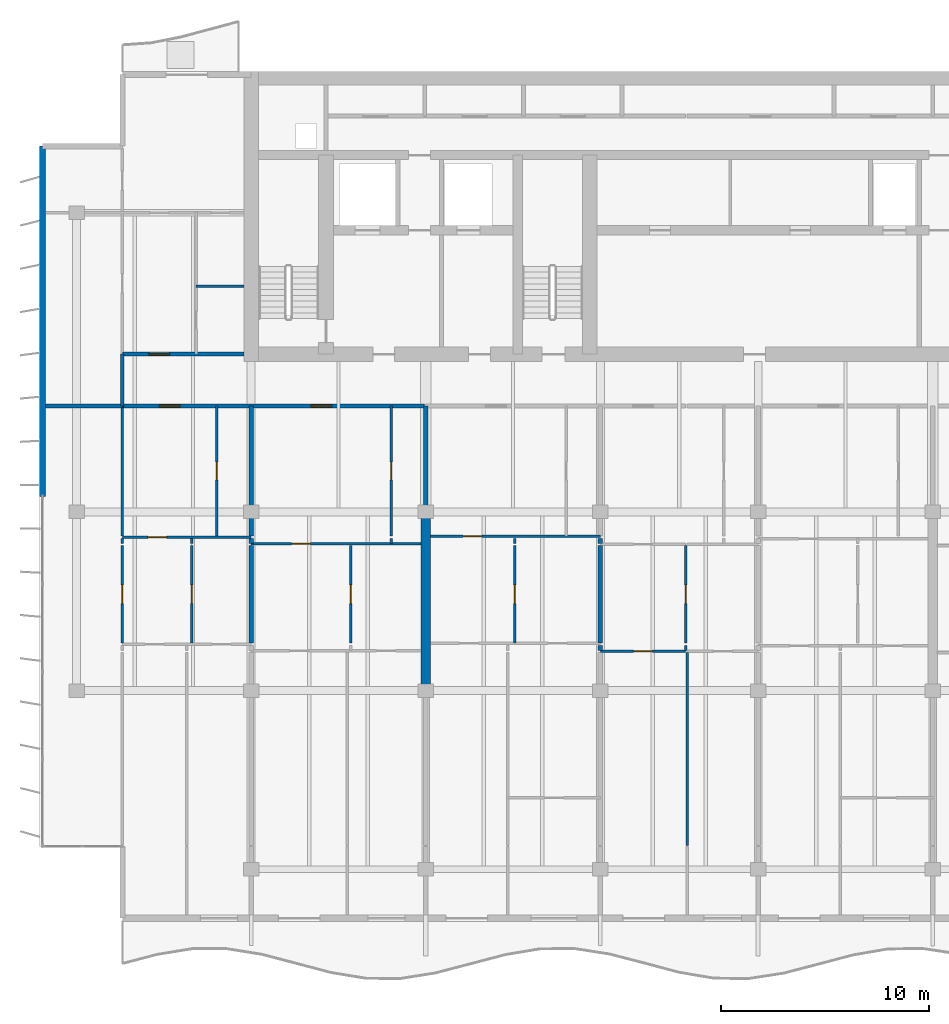
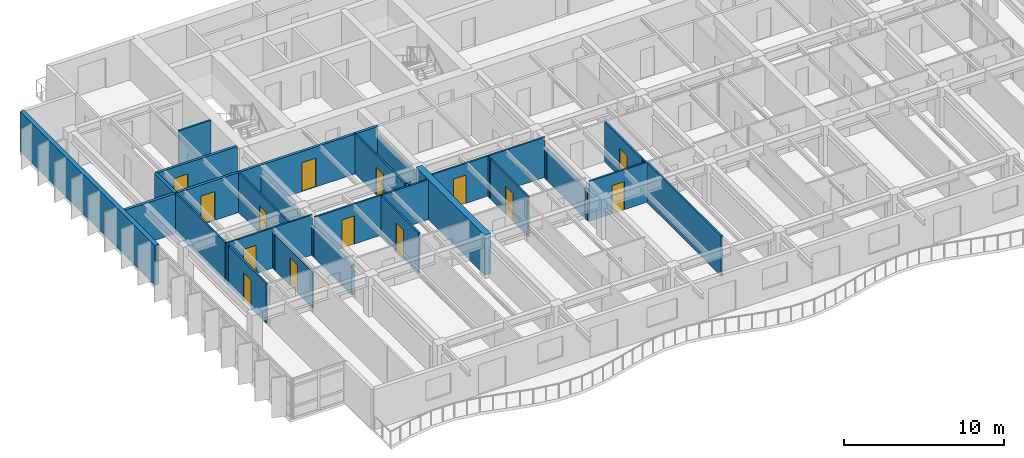
# One storey, part 7 of 17: 32 walls, 14 doors, 14 openings.
"""IFC4 building model written with IfcOpenShell, lengths in metres."""

import ifcopenshell
import ifcopenshell.guid

model = None  # the IFC model being written
_history = None  # IfcOwnerHistory: only IFC2X3 demands one
_inside = {}  # id of a spatial element -> (the spatial element, [elements in it])
_under = {}  # id of a project, library or spatial element -> (it, [spatial elements below it])
_declared = {}  # id of a project -> (the project, [libraries it declares])
_typed = {}  # id of a type object -> (the type object, [elements of that type])
_made_of = {}  # id of a material, layer set ... -> (it, [elements and type objects made of it])


def new_model(schema):
    """Start an empty IFC model of exactly this schema.

    Asked for "IFC4X3", IfcOpenShell would pick the latest addendum, in which some entities
    have other attributes; the version numbers below select the first issue.
    IFC2X3 requires an IfcOwnerHistory on every rooted entity: one is made here for all.
    """
    global model, _history
    if schema == "IFC4X3":
        model = ifcopenshell.file(schema_version=(4, 3, 0, 0))
    else:
        model = ifcopenshell.file(schema=schema)
    _inside.clear()
    _under.clear()
    _declared.clear()
    _typed.clear()
    _made_of.clear()
    _history = None
    if model.schema == "IFC2X3":
        org = make("IfcOrganization", Name="unknown")
        user = make(
            "IfcPersonAndOrganization",
            ThePerson=make("IfcPerson", FamilyName="unknown"),
            TheOrganization=org,
        )
        app = make(
            "IfcApplication",
            ApplicationDeveloper=org,
            Version="unknown",
            ApplicationFullName="unknown",
            ApplicationIdentifier="unknown",
        )
        _history = make(
            "IfcOwnerHistory",
            OwningUser=user,
            OwningApplication=app,
            ChangeAction="ADDED",
            CreationDate=0,
        )
    return model


def make(cls, **values):
    """One entity of the class cls with the attributes given. An attribute that is None is left unset."""
    return model.create_entity(
        cls, **{name: value for name, value in values.items() if value is not None}
    )


def rooted(cls, **values):
    """An entity with a GlobalId (a new one), such as an element, a storey or a relation."""
    return make(cls, GlobalId=ifcopenshell.guid.new(), OwnerHistory=_history, **values)


def si_unit(unit_type, name, prefix=None):
    """IfcSIUnit, for example si_unit("LENGTHUNIT", "METRE", prefix="MILLI")."""
    return make("IfcSIUnit", UnitType=unit_type, Prefix=prefix, Name=name)


def assignment(units):
    """IfcUnitAssignment: the units of a project."""
    return None if units is None else make("IfcUnitAssignment", Units=units)


def point(xyz):
    """IfcCartesianPoint."""
    return None if xyz is None else make("IfcCartesianPoint", Coordinates=xyz)


def direction(xyz):
    """IfcDirection."""
    return None if xyz is None else make("IfcDirection", DirectionRatios=xyz)


def frame(location, z_axis=None, x_axis=None):
    """IfcAxis2Placement3D, a coordinate frame: its origin and axes. An axis left out is left unset."""
    return make(
        "IfcAxis2Placement3D",
        Location=point(location),
        Axis=direction(z_axis),
        RefDirection=direction(x_axis),
    )


def frame_2d(location, x_axis=None):
    """IfcAxis2Placement2D, a coordinate frame in the plane: its origin and x axis."""
    return make(
        "IfcAxis2Placement2D", Location=point(location), RefDirection=direction(x_axis)
    )


def origin():
    """The frame at (0, 0, 0) with its axes left unset."""
    return frame((0.0, 0.0, 0.0))


def place(relative_to, where):
    """IfcLocalPlacement: puts the frame where relative to a parent placement (None: the world)."""
    return make(
        "IfcLocalPlacement", PlacementRelTo=relative_to, RelativePlacement=where
    )


def context(
    kind, dimensions, precision=None, world=None, true_north=None, identifier=None
):
    """IfcGeometricRepresentationContext, for example the 3D "Model" context."""
    return make(
        "IfcGeometricRepresentationContext",
        ContextIdentifier=identifier,
        ContextType=kind,
        CoordinateSpaceDimension=dimensions,
        Precision=precision,
        WorldCoordinateSystem=world,
        TrueNorth=true_north,
    )


def subcontext(parent, identifier, kind, view, scale=None):
    """IfcGeometricRepresentationSubContext, for example "Body" below "Model"."""
    return make(
        "IfcGeometricRepresentationSubContext",
        ContextIdentifier=identifier,
        ContextType=kind,
        ParentContext=parent,
        TargetScale=scale,
        TargetView=view,
    )


def project(units=None, contexts=None):
    """IfcProject with its units and contexts."""
    return rooted(
        "IfcProject",
        Name="project",
        RepresentationContexts=contexts,
        UnitsInContext=assignment(units),
    )


def spatial(cls, under=None, at=None, **own):
    """A site, building, storey or space (cls), placed at a placement, below another one or the project."""
    s = rooted(cls, ObjectPlacement=at, **own)
    if under is not None:
        _under.setdefault(under.id(), (under, []))[1].append(s)
    return s


def profile(cls, at=None, kind="AREA", **sizes):
    """A parametric profile (cls). Its sizes go by their IFC names, for example OverallWidth=200.0."""
    return make(cls, ProfileType=kind, Position=at, **sizes)


def rectangle(**sizes):
    """IfcRectangleProfileDef."""
    return profile("IfcRectangleProfileDef", **sizes)


def extrude(swept, where, along, depth):
    """IfcExtrudedAreaSolid: the profile swept, set in the frame where, extruded along a direction by depth."""
    return make(
        "IfcExtrudedAreaSolid",
        SweptArea=swept,
        Position=where,
        ExtrudedDirection=direction(along),
        Depth=depth,
    )


def shape(context_of_items, identifier, shape_type, items):
    """IfcShapeRepresentation: the items that make up one representation, for example the "Body"."""
    return make(
        "IfcShapeRepresentation",
        ContextOfItems=context_of_items,
        RepresentationIdentifier=identifier,
        RepresentationType=shape_type,
        Items=items,
    )


def material(Name=None, Category=None):
    """IfcMaterial."""
    return make("IfcMaterial", Name=Name, Category=Category)


def layer(
    of_material, thickness, ventilated=None, Name=None, Category=None, Priority=None
):
    """IfcMaterialLayer: one layer of a wall or slab, of a material (None: an air gap)."""
    return make(
        "IfcMaterialLayer",
        Material=of_material,
        LayerThickness=thickness,
        IsVentilated=ventilated,
        Name=Name,
        Category=Category,
        Priority=Priority,
    )


def layer_set(layers, Name=None):
    """IfcMaterialLayerSet."""
    return make("IfcMaterialLayerSet", MaterialLayers=layers, LayerSetName=Name)


def made_of(thing, what):
    """Note that an element or type object is made of a material, layer set ...; save() writes the relation."""
    if what is not None:
        _made_of.setdefault(what.id(), (what, []))[1].append(thing)
    return thing


def type_object(cls, material=None, **own):
    """A type object (cls), such as IfcWallType, which elements share."""
    return made_of(rooted(cls, **own), material)


def element(
    cls,
    number,
    at=None,
    inside=None,
    cuts=None,
    type_object=None,
    material=None,
    context=None,
    identifier="Body",
    shape_type=None,
    held_by="IfcProductDefinitionShape",
    body=None,
    shapes=None,
    **own,
):
    """One element of the class cls, such as IfcWall. Its Tag is "e" and its number.

    at: its placement. inside: the storey or other place that contains it. cuts: it is an
    opening in that element (IfcRelVoidsElement). A single representation is given by context,
    identifier, shape_type and body (its items); several are given by shapes. held_by: the class
    of the entity that holds the representations. save() writes the other relations.
    """
    e = rooted(cls, Tag="e%d" % number, ObjectPlacement=at, **own)
    if body is not None:
        shapes = [shape(context, identifier, shape_type, body)]
    if shapes is not None:
        e.Representation = make(held_by, Representations=shapes)
    if inside is not None:
        _inside.setdefault(inside.id(), (inside, []))[1].append(e)
    if cuts is not None:
        rooted(
            "IfcRelVoidsElement", RelatingBuildingElement=cuts, RelatedOpeningElement=e
        )
    if type_object is not None:
        _typed.setdefault(type_object.id(), (type_object, []))[1].append(e)
    return made_of(e, material)


def fill(opening, filler):
    """IfcRelFillsElement: the door or window that sits in an opening."""
    return rooted(
        "IfcRelFillsElement",
        RelatingOpeningElement=opening,
        RelatedBuildingElement=filler,
    )


def aggregate(whole, parts):
    """IfcRelAggregates: a whole, such as a stair, and the parts it consists of."""
    return rooted("IfcRelAggregates", RelatingObject=whole, RelatedObjects=parts)


def save(model, path):
    """Write the relations noted so far, then the file.

    IfcRelAggregates (storeys below a building ...), IfcRelContainedInSpatialStructure (elements
    in a storey), IfcRelDefinesByType, IfcRelAssociatesMaterial and IfcRelDeclares: one each for
    every whole, place, type object, material and project.
    """
    for whole, parts in _under.values():
        aggregate(whole, parts)
    for where, things in _inside.values():
        rooted(
            "IfcRelContainedInSpatialStructure",
            RelatedElements=things,
            RelatingStructure=where,
        )
    for kind, things in _typed.values():
        rooted("IfcRelDefinesByType", RelatedObjects=things, RelatingType=kind)
    for what, things in _made_of.values():
        rooted("IfcRelAssociatesMaterial", RelatedObjects=things, RelatingMaterial=what)
    for by, libraries in _declared.values():
        rooted("IfcRelDeclares", RelatingContext=by, RelatedDefinitions=libraries)
    model.write(path)


model = new_model("IFC4")

# Units and contexts
model_context = context("Model", 3, precision=1e-05, world=origin(), true_north=direction((0.0, 1.0)))
body_context = subcontext(model_context, "Body", "Model", "MODEL_VIEW")
ifc_project = project(units=[si_unit("LENGTHUNIT", "METRE"), si_unit("AREAUNIT", "SQUARE_METRE"), si_unit("VOLUMEUNIT", "CUBIC_METRE"), si_unit("PLANEANGLEUNIT", "RADIAN"), si_unit("MASSUNIT", "GRAM", prefix="KILO")], contexts=[model_context])

# Site, building, storey
site_placement = place(None, origin())
site = spatial("IfcSite", under=ifc_project, at=site_placement, CompositionType="ELEMENT")
building_placement = place(site_placement, origin())
building = spatial("IfcBuilding", under=site, at=building_placement, Name="Caelmar Bay Residences", CompositionType="ELEMENT")
storey_placement = place(building_placement, frame((0.0, 0.0, 229.800048828125)))
storey = spatial("IfcBuildingStorey", under=building, at=storey_placement, Name="L64", CompositionType="ELEMENT", Elevation=229.800048828125)

# Walls
ifc_material_1 = material(Name="Concrete f'c 55 MPa (8,000 psi)", Category="concrete")
ifc_layer_1 = layer(ifc_material_1, 0.449951171875)
ifc_layer_set_1 = layer_set([ifc_layer_1], Name="Concrete f'c 55 MPa (8,000 psi)")
wall_type_1 = type_object("IfcWallType", Name="SW-XSLB-450", PredefinedType="SHEAR", material=ifc_layer_set_1)
wall_1_placement = place(storey_placement, frame((26.699951171875, 20.800048828125, 0.0), z_axis=(0.0, 0.0, 1.0), x_axis=(0.0, 1.0, 0.0)))
element("IfcWall", 1, at=wall_1_placement, inside=storey, type_object=wall_type_1, Name="L64 Transverse Cross-Slab Shear Wall W5", PredefinedType="SHEAR", context=body_context, shape_type="SweptSolid", body=[
    extrude(rectangle(XDim=8.599853515625, YDim=0.449951171875, at=frame_2d((4.2998046875, 0.0))), origin(), (0.0, 0.0, 1.0), 3.050048828125),
])
ifc_material_2 = material(Name="Double-stud acoustic fire-rated gypsum partition 180 mm")
ifc_layer_2 = layer(ifc_material_2, 0.179931640625)
ifc_layer_set_2 = layer_set([ifc_layer_2], Name="Double-stud acoustic fire-rated gypsum partition 180 mm")
wall_type_2 = type_object("IfcWallType", Name="W-COR-200", PredefinedType="PARTITIONING", material=ifc_layer_set_2)
wall_2_placement = place(storey_placement, frame((12.10009765625, 34.5048828125, 0.0), z_axis=(0.0, 0.0, 1.0), x_axis=(0.0, 1.0, 0.0)))
element("IfcWall", 2, at=wall_2_placement, inside=storey, type_object=wall_type_2, Name="L64 Partition Wall V006", PredefinedType="PARTITIONING", context=body_context, shape_type="SweptSolid", body=[
    extrude(rectangle(XDim=2.4951171875, YDim=0.179931640625, at=frame_2d((1.24755859375, 0.0))), origin(), (0.0, 0.0, 1.0), 3.050048828125),
])

# Wall, openings, doors
wall_3_placement = place(storey_placement, frame((12.10498046875, 34.5, 0.0), z_axis=(0.0, 0.0, 1.0), x_axis=(1.0, 0.0, 0.0)))
wall_3 = element("IfcWall", 3, at=wall_3_placement, inside=storey, type_object=wall_type_2, Name="L64 Partition Wall H121", PredefinedType="PARTITIONING", context=body_context, shape_type="SweptSolid", body=[
    extrude(rectangle(XDim=14.544921875, YDim=0.179931640625, at=frame_2d((7.2724609375, 0.0))), origin(), (0.0, 0.0, 1.0), 3.050048828125),
])
opening_1_placement = place(wall_3_placement, frame((1.7724609375, 0.0, 0.0)))
opening_1 = element("IfcOpeningElement", 4, at=opening_1_placement, cuts=wall_3, Name="Opening D-L64-124", PredefinedType="OPENING", context=body_context, shape_type="SweptSolid", body=[
    extrude(rectangle(XDim=1.0, YDim=2.199951171875, at=frame_2d((0.5, 1.10009765625))), frame((0.0, 0.099853515625, 0.0), z_axis=(0.0, -1.0, 0.0), x_axis=(1.0, 0.0, 0.0)), (0.0, 0.0, 1.0), 0.199951171875),
])
opening_2_placement = place(wall_3_placement, frame((9.070068359375, 0.0, 0.0)))
opening_2 = element("IfcOpeningElement", 5, at=opening_2_placement, cuts=wall_3, Name="Opening D-L64-130", PredefinedType="OPENING", context=body_context, shape_type="SweptSolid", body=[
    extrude(rectangle(XDim=1.0, YDim=2.199951171875, at=frame_2d((0.5, 1.10009765625))), frame((0.0, 0.099853515625, 0.0), z_axis=(0.0, -1.0, 0.0), x_axis=(1.0, 0.0, 0.0)), (0.0, 0.0, 1.0), 0.199951171875),
])
ifc_material_3 = material(Name="Fire-rated steel and walnut architectural door assembly", Category="steel")
ifc_layer_3 = layer(ifc_material_3, 0.050048828125)
ifc_layer_set_3 = layer_set([ifc_layer_3], Name="Fire-rated steel and walnut architectural door assembly")
door_type_1 = type_object("IfcDoorType", Name="D-UNIT-1000", OperationType="NOTDEFINED", PredefinedType="DOOR", material=ifc_layer_set_3)
door_1_placement = place(opening_1_placement, origin())
door_1 = element("IfcDoor", 6, at=door_1_placement, inside=storey, type_object=door_type_1, Name="L64 Residence 01 Apartment Hall Door", OperationType="SINGLE_SWING_LEFT", OverallHeight=2.199951171875, OverallWidth=1.0, PredefinedType="DOOR", context=body_context, shape_type="SweptSolid", body=[
    extrude(rectangle(XDim=1.0, YDim=2.199951171875, at=frame_2d((0.5, 1.10009765625))), frame((0.0, 0.02490234375, 0.0), z_axis=(0.0, -1.0, 0.0), x_axis=(1.0, 0.0, 0.0)), (0.0, 0.0, 1.0), 0.050048828125),
])
fill(opening_1, door_1)
door_2_placement = place(opening_2_placement, origin())
door_2 = element("IfcDoor", 7, at=door_2_placement, inside=storey, type_object=door_type_1, Name="L64 Residence 02 Apartment Hall Door", OperationType="SINGLE_SWING_LEFT", OverallHeight=2.199951171875, OverallWidth=1.0, PredefinedType="DOOR", context=body_context, shape_type="SweptSolid", body=[
    extrude(rectangle(XDim=1.0, YDim=2.199951171875, at=frame_2d((0.5, 1.10009765625))), frame((0.0, 0.02490234375, 0.0), z_axis=(0.0, -1.0, 0.0), x_axis=(1.0, 0.0, 0.0)), (0.0, 0.0, 1.0), 0.050048828125),
])
fill(opening_2, door_2)

# Wall, opening, door
wall_4_placement = place(storey_placement, frame((12.10009765625, 37.0, 0.0), z_axis=(0.0, 0.0, 1.0), x_axis=(1.0, 0.0, 0.0)))
wall_4 = element("IfcWall", 8, at=wall_4_placement, inside=storey, type_object=wall_type_2, Name="L64 Partition Wall H125", PredefinedType="PARTITIONING", context=body_context, shape_type="SweptSolid", body=[
    extrude(rectangle(XDim=5.844970703125, YDim=0.179931640625, at=frame_2d((2.92236328125, 0.0))), origin(), (0.0, 0.0, 1.0), 3.050048828125),
])
opening_3_placement = place(wall_4_placement, frame((1.27490234375, 0.0, 0.0)))
opening_3 = element("IfcOpeningElement", 9, at=opening_3_placement, cuts=wall_4, Name="Opening D-L64-169", PredefinedType="OPENING", context=body_context, shape_type="SweptSolid", body=[
    extrude(rectangle(XDim=1.0, YDim=2.199951171875, at=frame_2d((0.5, 1.10009765625))), frame((0.0, 0.099853515625, 0.0), z_axis=(0.0, -1.0, 0.0), x_axis=(1.0, 0.0, 0.0)), (0.0, 0.0, 1.0), 0.199951171875),
])
door_3_placement = place(opening_3_placement, origin())
door_3 = element("IfcDoor", 10, at=door_3_placement, inside=storey, type_object=door_type_1, Name="L64 Residence WA Kitchen Door", OperationType="SINGLE_SWING_RIGHT", OverallHeight=2.199951171875, OverallWidth=1.0, PredefinedType="DOOR", context=body_context, shape_type="SweptSolid", body=[
    extrude(rectangle(XDim=1.0, YDim=2.199951171875, at=frame_2d((0.5, 1.10009765625))), frame((0.0, 0.02490234375, 0.0), z_axis=(0.0, -1.0, 0.0), x_axis=(1.0, 0.0, 0.0)), (0.0, 0.0, 1.0), 0.050048828125),
])
fill(opening_3, door_3)

# Wall
ifc_material_4 = material(Name="Precast concrete f'c 40 MPa (6,000 psi)", Category="concrete")
ifc_layer_4 = layer(ifc_material_4, 0.300048828125)
ifc_layer_set_4 = layer_set([ifc_layer_4], Name="Precast concrete f'c 40 MPa (6,000 psi)")
wall_type_3 = type_object("IfcWallType", Name="W-EXT-300", PredefinedType="STANDARD", material=ifc_layer_set_4)
wall_5_placement = place(storey_placement, frame((8.25, 30.14990234375, 0.0), z_axis=(0.0, 0.0, 1.0), x_axis=(0.0, 1.0, 0.0)))
element("IfcWall", 11, at=wall_5_placement, inside=storey, type_object=wall_type_3, Name="L64 West Rear Exterior Wall", PredefinedType="STANDARD", context=body_context, shape_type="SweptSolid", body=[
    extrude(rectangle(XDim=16.85009765625, YDim=0.300048828125, at=frame_2d((8.425048828125, 0.0))), origin(), (0.0, 0.0, 1.0), 3.050048828125),
])

# Wall, opening, door
ifc_material_5 = material(Name="Acoustic metal-stud gypsum partition 120 mm")
ifc_layer_5 = layer(ifc_material_5, 0.1201171875)
ifc_layer_set_5 = layer_set([ifc_layer_5], Name="Acoustic metal-stud gypsum partition 120 mm")
wall_type_4 = type_object("IfcWallType", Name="W-PRT-120", PredefinedType="PARTITIONING", material=ifc_layer_set_5)
wall_6_placement = place(storey_placement, frame((12.10009765625, 23.090087890625, 0.0), z_axis=(0.0, 0.0, 1.0), x_axis=(0.0, 1.0, 0.0)))
wall_6 = element("IfcWall", 12, at=wall_6_placement, inside=storey, type_object=wall_type_4, Name="L64 Partition Wall V003", PredefinedType="PARTITIONING", context=body_context, shape_type="SweptSolid", body=[
    extrude(rectangle(XDim=4.68994140625, YDim=0.1201171875, at=frame_2d((2.344970703125, 0.0))), origin(), (0.0, 0.0, 1.0), 3.050048828125),
])
opening_4_placement = place(wall_6_placement, frame((1.89501953125, 0.0, 0.0)))
opening_4 = element("IfcOpeningElement", 13, at=opening_4_placement, cuts=wall_6, Name="Opening D-L64-167", PredefinedType="OPENING", context=body_context, shape_type="SweptSolid", body=[
    extrude(rectangle(XDim=0.89990234375, YDim=2.14990234375, at=frame_2d((0.449951171875, 1.074951171875))), frame((0.0, 0.070068359375, 0.0), z_axis=(0.0, -1.0, 0.0), x_axis=(1.0, 0.0, 0.0)), (0.0, 0.0, 1.0), 0.14013671875),
])
ifc_material_6 = material(Name="Solid walnut timber interior door leaf and frame", Category="wood")
ifc_layer_6 = layer(ifc_material_6, 0.050048828125)
ifc_layer_set_6 = layer_set([ifc_layer_6], Name="Solid walnut timber interior door leaf and frame")
door_type_2 = type_object("IfcDoorType", Name="D-ROOM-900", OperationType="NOTDEFINED", PredefinedType="DOOR", material=ifc_layer_set_6)
door_4_placement = place(opening_4_placement, origin())
door_4 = element("IfcDoor", 14, at=door_4_placement, inside=storey, type_object=door_type_2, Name="L64 Residence 01 Penthouse West Salon Door", OperationType="SINGLE_SWING_RIGHT", OverallHeight=2.14990234375, OverallWidth=0.89990234375, PredefinedType="DOOR", context=body_context, shape_type="SweptSolid", body=[
    extrude(rectangle(XDim=0.89990234375, YDim=2.14990234375, at=frame_2d((0.449951171875, 1.074951171875))), frame((0.0, 0.02490234375, 0.0), z_axis=(0.0, -1.0, 0.0), x_axis=(1.0, 0.0, 0.0)), (0.0, 0.0, 1.0), 0.050048828125),
])
fill(opening_4, door_4)

# Walls
wall_7_placement = place(storey_placement, frame((12.10009765625, 27.8798828125, 0.0), z_axis=(0.0, 0.0, 1.0), x_axis=(0.0, 1.0, 0.0)))
element("IfcWall", 15, at=wall_7_placement, inside=storey, type_object=wall_type_4, Name="L64 Partition Wall V004", PredefinedType="PARTITIONING", context=body_context, shape_type="SweptSolid", body=[
    extrude(rectangle(XDim=0.240234375, YDim=0.1201171875, at=frame_2d((0.1201171875, 0.0))), origin(), (0.0, 0.0, 1.0), 3.050048828125),
])
wall_8_placement = place(storey_placement, frame((12.10009765625, 28.239990234375, 0.0), z_axis=(0.0, 0.0, 1.0), x_axis=(0.0, 1.0, 0.0)))
element("IfcWall", 16, at=wall_8_placement, inside=storey, type_object=wall_type_4, Name="L64 Partition Wall V005", PredefinedType="PARTITIONING", context=body_context, shape_type="SweptSolid", body=[
    extrude(rectangle(XDim=6.260009765625, YDim=0.1201171875, at=frame_2d((3.1298828125, 0.0))), origin(), (0.0, 0.0, 1.0), 3.050048828125),
])

# Wall, opening, door
wall_9_placement = place(storey_placement, frame((15.447998046875, 23.090087890625, 0.0), z_axis=(0.0, 0.0, 1.0), x_axis=(0.0, 1.0, 0.0)))
wall_9 = element("IfcWall", 17, at=wall_9_placement, inside=storey, type_object=wall_type_4, Name="L64 Partition Wall V011", PredefinedType="PARTITIONING", context=body_context, shape_type="SweptSolid", body=[
    extrude(rectangle(XDim=4.68994140625, YDim=0.1201171875, at=frame_2d((2.344970703125, 0.0))), origin(), (0.0, 0.0, 1.0), 2.724853515625),
])
opening_5_placement = place(wall_9_placement, frame((1.89501953125, 0.0, 0.0)))
opening_5 = element("IfcOpeningElement", 18, at=opening_5_placement, cuts=wall_9, Name="Opening D-L64-127", PredefinedType="OPENING", context=body_context, shape_type="SweptSolid", body=[
    extrude(rectangle(XDim=0.89990234375, YDim=2.14990234375, at=frame_2d((0.449951171875, 1.074951171875))), frame((0.0, 0.070068359375, 0.0), z_axis=(0.0, -1.0, 0.0), x_axis=(1.0, 0.0, 0.0)), (0.0, 0.0, 1.0), 0.14013671875),
])
door_5_placement = place(opening_5_placement, origin())
door_5 = element("IfcDoor", 19, at=door_5_placement, inside=storey, type_object=door_type_2, Name="L64 Residence 01 Study Door", OperationType="SINGLE_SWING_RIGHT", OverallHeight=2.14990234375, OverallWidth=0.89990234375, PredefinedType="DOOR", context=body_context, shape_type="SweptSolid", body=[
    extrude(rectangle(XDim=0.89990234375, YDim=2.14990234375, at=frame_2d((0.449951171875, 1.074951171875))), frame((0.0, 0.02490234375, 0.0), z_axis=(0.0, -1.0, 0.0), x_axis=(1.0, 0.0, 0.0)), (0.0, 0.0, 1.0), 0.050048828125),
])
fill(opening_5, door_5)

# Wall
wall_10_placement = place(storey_placement, frame((15.447998046875, 27.8798828125, 0.0), z_axis=(0.0, 0.0, 1.0), x_axis=(0.0, 1.0, 0.0)))
element("IfcWall", 20, at=wall_10_placement, inside=storey, type_object=wall_type_4, Name="L64 Partition Wall V012", PredefinedType="PARTITIONING", context=body_context, shape_type="SweptSolid", body=[
    extrude(rectangle(XDim=0.240234375, YDim=0.1201171875, at=frame_2d((0.1201171875, 0.0))), origin(), (0.0, 0.0, 1.0), 2.724853515625),
])

# Wall, opening, door
wall_11_placement = place(storey_placement, frame((16.64990234375, 28.239990234375, 0.0), z_axis=(0.0, 0.0, 1.0), x_axis=(0.0, 1.0, 0.0)))
wall_11 = element("IfcWall", 21, at=wall_11_placement, inside=storey, type_object=wall_type_4, Name="L64 Partition Wall V014", PredefinedType="PARTITIONING", context=body_context, shape_type="SweptSolid", body=[
    extrude(rectangle(XDim=6.260009765625, YDim=0.1201171875, at=frame_2d((3.1298828125, 0.0))), origin(), (0.0, 0.0, 1.0), 3.050048828125),
])
opening_6_placement = place(wall_11_placement, frame((2.705078125, 0.0, 0.0)))
opening_6 = element("IfcOpeningElement", 22, at=opening_6_placement, cuts=wall_11, Name="Opening D-L64-125", PredefinedType="OPENING", context=body_context, shape_type="SweptSolid", body=[
    extrude(rectangle(XDim=0.85009765625, YDim=2.10009765625, at=frame_2d((0.425048828125, 1.050048828125))), frame((0.0, 0.070068359375, 0.0), z_axis=(0.0, -1.0, 0.0), x_axis=(1.0, 0.0, 0.0)), (0.0, 0.0, 1.0), 0.14013671875),
])
ifc_layer_7 = layer(ifc_material_6, 0.050048828125)
ifc_layer_set_7 = layer_set([ifc_layer_7], Name="Solid walnut timber interior door leaf and frame")
door_type_3 = type_object("IfcDoorType", Name="D-BATH-850", OperationType="NOTDEFINED", PredefinedType="DOOR", material=ifc_layer_set_7)
door_6_placement = place(opening_6_placement, origin())
door_6 = element("IfcDoor", 23, at=door_6_placement, inside=storey, type_object=door_type_3, Name="L64 Residence 01 Bathroom Door", OperationType="SINGLE_SWING_RIGHT", OverallHeight=2.10009765625, OverallWidth=0.85009765625, PredefinedType="DOOR", context=body_context, shape_type="SweptSolid", body=[
    extrude(rectangle(XDim=0.85009765625, YDim=2.10009765625, at=frame_2d((0.425048828125, 1.050048828125))), frame((0.0, 0.02490234375, 0.0), z_axis=(0.0, -1.0, 0.0), x_axis=(1.0, 0.0, 0.0)), (0.0, 0.0, 1.0), 0.050048828125),
])
fill(opening_6, door_6)

wall_12_placement = place(storey_placement, frame((23.0859375, 23.090087890625, 0.0), z_axis=(0.0, 0.0, 1.0), x_axis=(0.0, 1.0, 0.0)))
wall_12 = element("IfcWall", 24, at=wall_12_placement, inside=storey, type_object=wall_type_4, Name="L64 Partition Wall V025", PredefinedType="PARTITIONING", context=body_context, shape_type="SweptSolid", body=[
    extrude(rectangle(XDim=4.68994140625, YDim=0.1201171875, at=frame_2d((2.344970703125, 0.0))), origin(), (0.0, 0.0, 1.0), 3.050048828125),
])
opening_7_placement = place(wall_12_placement, frame((1.89501953125, 0.0, 0.0)))
opening_7 = element("IfcOpeningElement", 25, at=opening_7_placement, cuts=wall_12, Name="Opening D-L64-133", PredefinedType="OPENING", context=body_context, shape_type="SweptSolid", body=[
    extrude(rectangle(XDim=0.89990234375, YDim=2.14990234375, at=frame_2d((0.449951171875, 1.074951171875))), frame((0.0, 0.070068359375, 0.0), z_axis=(0.0, -1.0, 0.0), x_axis=(1.0, 0.0, 0.0)), (0.0, 0.0, 1.0), 0.14013671875),
])
door_7_placement = place(opening_7_placement, origin())
door_7 = element("IfcDoor", 26, at=door_7_placement, inside=storey, type_object=door_type_2, Name="L64 Residence 02 Study Door", OperationType="SINGLE_SWING_RIGHT", OverallHeight=2.14990234375, OverallWidth=0.89990234375, PredefinedType="DOOR", context=body_context, shape_type="SweptSolid", body=[
    extrude(rectangle(XDim=0.89990234375, YDim=2.14990234375, at=frame_2d((0.449951171875, 1.074951171875))), frame((0.0, 0.02490234375, 0.0), z_axis=(0.0, -1.0, 0.0), x_axis=(1.0, 0.0, 0.0)), (0.0, 0.0, 1.0), 0.050048828125),
])
fill(opening_7, door_7)

# Wall
wall_13_placement = place(storey_placement, frame((25.050048828125, 27.8798828125, 0.0), z_axis=(0.0, 0.0, 1.0), x_axis=(0.0, 1.0, 0.0)))
element("IfcWall", 27, at=wall_13_placement, inside=storey, type_object=wall_type_4, Name="L64 Partition Wall V026", PredefinedType="PARTITIONING", context=body_context, shape_type="SweptSolid", body=[
    extrude(rectangle(XDim=0.240234375, YDim=0.1201171875, at=frame_2d((0.1201171875, 0.0))), origin(), (0.0, 0.0, 1.0), 3.050048828125),
])

# Wall, opening, door
wall_14_placement = place(storey_placement, frame((25.050048828125, 28.239990234375, 0.0), z_axis=(0.0, 0.0, 1.0), x_axis=(0.0, 1.0, 0.0)))
wall_14 = element("IfcWall", 28, at=wall_14_placement, inside=storey, type_object=wall_type_4, Name="L64 Partition Wall V027", PredefinedType="PARTITIONING", context=body_context, shape_type="SweptSolid", body=[
    extrude(rectangle(XDim=6.260009765625, YDim=0.1201171875, at=frame_2d((3.1298828125, 0.0))), origin(), (0.0, 0.0, 1.0), 3.050048828125),
])
opening_8_placement = place(wall_14_placement, frame((2.705078125, 0.0, 0.0)))
opening_8 = element("IfcOpeningElement", 29, at=opening_8_placement, cuts=wall_14, Name="Opening D-L64-131", PredefinedType="OPENING", context=body_context, shape_type="SweptSolid", body=[
    extrude(rectangle(XDim=0.85009765625, YDim=2.10009765625, at=frame_2d((0.425048828125, 1.050048828125))), frame((0.0, 0.070068359375, 0.0), z_axis=(0.0, -1.0, 0.0), x_axis=(1.0, 0.0, 0.0)), (0.0, 0.0, 1.0), 0.14013671875),
])
door_8_placement = place(opening_8_placement, origin())
door_8 = element("IfcDoor", 30, at=door_8_placement, inside=storey, type_object=door_type_3, Name="L64 Residence 02 Bathroom Door", OperationType="SINGLE_SWING_RIGHT", OverallHeight=2.10009765625, OverallWidth=0.85009765625, PredefinedType="DOOR", context=body_context, shape_type="SweptSolid", body=[
    extrude(rectangle(XDim=0.85009765625, YDim=2.10009765625, at=frame_2d((0.425048828125, 1.050048828125))), frame((0.0, 0.02490234375, 0.0), z_axis=(0.0, -1.0, 0.0), x_axis=(1.0, 0.0, 0.0)), (0.0, 0.0, 1.0), 0.050048828125),
])
fill(opening_8, door_8)

wall_15_placement = place(storey_placement, frame((30.986083984375, 23.090087890625, 0.0), z_axis=(0.0, 0.0, 1.0), x_axis=(0.0, 1.0, 0.0)))
wall_15 = element("IfcWall", 31, at=wall_15_placement, inside=storey, type_object=wall_type_4, Name="L64 Partition Wall V038", PredefinedType="PARTITIONING", context=body_context, shape_type="SweptSolid", body=[
    extrude(rectangle(XDim=4.68994140625, YDim=0.1201171875, at=frame_2d((2.344970703125, 0.0))), origin(), (0.0, 0.0, 1.0), 3.050048828125),
])
opening_9_placement = place(wall_15_placement, frame((1.89501953125, 0.0, 0.0)))
opening_9 = element("IfcOpeningElement", 32, at=opening_9_placement, cuts=wall_15, Name="Opening D-L64-139", PredefinedType="OPENING", context=body_context, shape_type="SweptSolid", body=[
    extrude(rectangle(XDim=0.89990234375, YDim=2.14990234375, at=frame_2d((0.449951171875, 1.074951171875))), frame((0.0, 0.070068359375, 0.0), z_axis=(0.0, -1.0, 0.0), x_axis=(1.0, 0.0, 0.0)), (0.0, 0.0, 1.0), 0.14013671875),
])
door_9_placement = place(opening_9_placement, origin())
door_9 = element("IfcDoor", 33, at=door_9_placement, inside=storey, type_object=door_type_2, Name="L64 Residence 03 Study Door", OperationType="SINGLE_SWING_RIGHT", OverallHeight=2.14990234375, OverallWidth=0.89990234375, PredefinedType="DOOR", context=body_context, shape_type="SweptSolid", body=[
    extrude(rectangle(XDim=0.89990234375, YDim=2.14990234375, at=frame_2d((0.449951171875, 1.074951171875))), frame((0.0, 0.02490234375, 0.0), z_axis=(0.0, -1.0, 0.0), x_axis=(1.0, 0.0, 0.0)), (0.0, 0.0, 1.0), 0.050048828125),
])
fill(opening_9, door_9)

# Walls
wall_16_placement = place(storey_placement, frame((30.986083984375, 27.8798828125, 0.0), z_axis=(0.0, 0.0, 1.0), x_axis=(0.0, 1.0, 0.0)))
element("IfcWall", 34, at=wall_16_placement, inside=storey, type_object=wall_type_4, Name="L64 Partition Wall V039", PredefinedType="PARTITIONING", context=body_context, shape_type="SweptSolid", body=[
    extrude(rectangle(XDim=0.240234375, YDim=0.1201171875, at=frame_2d((0.1201171875, 0.0))), origin(), (0.0, 0.0, 1.0), 3.050048828125),
])
wall_17_placement = place(storey_placement, frame((39.2041015625, 22.72998046875, 0.0), z_axis=(0.0, 0.0, 1.0), x_axis=(0.0, 1.0, 0.0)))
element("IfcWall", 35, at=wall_17_placement, inside=storey, type_object=wall_type_4, Name="L64 Partition Wall V049", PredefinedType="PARTITIONING", context=body_context, shape_type="SweptSolid", body=[
    extrude(rectangle(XDim=0.239990234375, YDim=0.1201171875, at=frame_2d((0.1201171875, 0.0))), origin(), (0.0, 0.0, 1.0), 3.050048828125),
])

# Wall, opening, door
wall_18_placement = place(storey_placement, frame((39.2041015625, 23.090087890625, 0.0), z_axis=(0.0, 0.0, 1.0), x_axis=(0.0, 1.0, 0.0)))
wall_18 = element("IfcWall", 36, at=wall_18_placement, inside=storey, type_object=wall_type_4, Name="L64 Partition Wall V050", PredefinedType="PARTITIONING", context=body_context, shape_type="SweptSolid", body=[
    extrude(rectangle(XDim=4.68994140625, YDim=0.1201171875, at=frame_2d((2.344970703125, 0.0))), origin(), (0.0, 0.0, 1.0), 3.050048828125),
])
opening_10_placement = place(wall_18_placement, frame((1.89501953125, 0.0, 0.0)))
opening_10 = element("IfcOpeningElement", 37, at=opening_10_placement, cuts=wall_18, Name="Opening D-L64-146", PredefinedType="OPENING", context=body_context, shape_type="SweptSolid", body=[
    extrude(rectangle(XDim=0.89990234375, YDim=2.14990234375, at=frame_2d((0.449951171875, 1.074951171875))), frame((0.0, 0.070068359375, 0.0), z_axis=(0.0, -1.0, 0.0), x_axis=(1.0, 0.0, 0.0)), (0.0, 0.0, 1.0), 0.14013671875),
])
door_10_placement = place(opening_10_placement, origin())
door_10 = element("IfcDoor", 38, at=door_10_placement, inside=storey, type_object=door_type_2, Name="L64 Residence 04 Study Door", OperationType="SINGLE_SWING_LEFT", OverallHeight=2.14990234375, OverallWidth=0.89990234375, PredefinedType="DOOR", context=body_context, shape_type="SweptSolid", body=[
    extrude(rectangle(XDim=0.89990234375, YDim=2.14990234375, at=frame_2d((0.449951171875, 1.074951171875))), frame((0.0, 0.02490234375, 0.0), z_axis=(0.0, -1.0, 0.0), x_axis=(1.0, 0.0, 0.0)), (0.0, 0.0, 1.0), 0.050048828125),
])
fill(opening_10, door_10)

# Wall
wall_19_placement = place(storey_placement, frame((39.280029296875, 13.340087890625, 0.0), z_axis=(0.0, 0.0, 1.0), x_axis=(0.0, 1.0, 0.0)))
element("IfcWall", 39, at=wall_19_placement, inside=storey, type_object=wall_type_4, Name="L64 Partition Wall V052", PredefinedType="PARTITIONING", context=body_context, shape_type="SweptSolid", body=[
    extrude(rectangle(XDim=9.289794921875, YDim=0.1201171875, at=frame_2d((4.64501953125, 0.0))), origin(), (0.0, 0.0, 1.0), 3.050048828125),
])

# Wall, opening, door
wall_20_placement = place(storey_placement, frame((35.10009765625, 22.68994140625, 0.0), z_axis=(0.0, 0.0, 1.0), x_axis=(1.0, 0.0, 0.0)))
wall_20 = element("IfcWall", 40, at=wall_20_placement, inside=storey, type_object=wall_type_4, Name="L64 Partition Wall H105", PredefinedType="PARTITIONING", context=body_context, shape_type="SweptSolid", body=[
    extrude(rectangle(XDim=4.10400390625, YDim=0.1201171875, at=frame_2d((2.052001953125, 0.0))), origin(), (0.0, 0.0, 1.0), 3.050048828125),
])
opening_11_placement = place(wall_20_placement, frame((1.60205078125, 0.0, 0.0)))
opening_11 = element("IfcOpeningElement", 41, at=opening_11_placement, cuts=wall_20, Name="Opening D-L64-147", PredefinedType="OPENING", context=body_context, shape_type="SweptSolid", body=[
    extrude(rectangle(XDim=0.89990234375, YDim=2.14990234375, at=frame_2d((0.449951171875, 1.074951171875))), frame((0.0, 0.070068359375, 0.0), z_axis=(0.0, -1.0, 0.0), x_axis=(1.0, 0.0, 0.0)), (0.0, 0.0, 1.0), 0.14013671875),
])
door_11_placement = place(opening_11_placement, origin())
door_11 = element("IfcDoor", 42, at=door_11_placement, inside=storey, type_object=door_type_2, Name="L64 Residence 04 Living Room Door", OperationType="SINGLE_SWING_RIGHT", OverallHeight=2.14990234375, OverallWidth=0.89990234375, PredefinedType="DOOR", context=body_context, shape_type="SweptSolid", body=[
    extrude(rectangle(XDim=0.89990234375, YDim=2.14990234375, at=frame_2d((0.449951171875, 1.074951171875))), frame((0.0, 0.02490234375, 0.0), z_axis=(0.0, -1.0, 0.0), x_axis=(1.0, 0.0, 0.0)), (0.0, 0.0, 1.0), 0.050048828125),
])
fill(opening_11, door_11)

wall_21_placement = place(storey_placement, frame((18.300048828125, 27.8798828125, 0.0), z_axis=(0.0, 0.0, 1.0), x_axis=(1.0, 0.0, 0.0)))
wall_21 = element("IfcWall", 43, at=wall_21_placement, inside=storey, type_object=wall_type_4, Name="L64 Partition Wall H115", PredefinedType="PARTITIONING", context=body_context, shape_type="SweptSolid", body=[
    extrude(rectangle(XDim=8.179931640625, YDim=0.1201171875, at=frame_2d((4.08984375, 0.0))), origin(), (0.0, 0.0, 1.0), 3.050048828125),
])
opening_12_placement = place(wall_21_placement, frame((1.943115234375, 0.0, 0.0)))
opening_12 = element("IfcOpeningElement", 44, at=opening_12_placement, cuts=wall_21, Name="Opening D-L64-132", PredefinedType="OPENING", context=body_context, shape_type="SweptSolid", body=[
    extrude(rectangle(XDim=0.89990234375, YDim=2.14990234375, at=frame_2d((0.449951171875, 1.074951171875))), frame((0.0, 0.070068359375, 0.0), z_axis=(0.0, -1.0, 0.0), x_axis=(1.0, 0.0, 0.0)), (0.0, 0.0, 1.0), 0.14013671875),
])
door_12_placement = place(opening_12_placement, origin())
door_12 = element("IfcDoor", 45, at=door_12_placement, inside=storey, type_object=door_type_2, Name="L64 Residence 02 Kitchen Door", OperationType="SINGLE_SWING_LEFT", OverallHeight=2.14990234375, OverallWidth=0.89990234375, PredefinedType="DOOR", context=body_context, shape_type="SweptSolid", body=[
    extrude(rectangle(XDim=0.89990234375, YDim=2.14990234375, at=frame_2d((0.449951171875, 1.074951171875))), frame((0.0, 0.02490234375, 0.0), z_axis=(0.0, -1.0, 0.0), x_axis=(1.0, 0.0, 0.0)), (0.0, 0.0, 1.0), 0.050048828125),
])
fill(opening_12, door_12)

wall_22_placement = place(storey_placement, frame((12.10009765625, 28.179931640625, 0.0), z_axis=(0.0, 0.0, 1.0), x_axis=(1.0, 0.0, 0.0)))
wall_22 = element("IfcWall", 46, at=wall_22_placement, inside=storey, type_object=wall_type_4, Name="L64 Partition Wall H117", PredefinedType="PARTITIONING", context=body_context, shape_type="SweptSolid", body=[
    extrude(rectangle(XDim=6.199951171875, YDim=0.1201171875, at=frame_2d((3.10009765625, 0.0))), origin(), (0.0, 0.0, 1.0), 3.050048828125),
])
opening_13_placement = place(wall_22_placement, frame((1.22412109375, 0.0, 0.0)))
opening_13 = element("IfcOpeningElement", 47, at=opening_13_placement, cuts=wall_22, Name="Opening D-L64-126", PredefinedType="OPENING", context=body_context, shape_type="SweptSolid", body=[
    extrude(rectangle(XDim=0.89990234375, YDim=2.14990234375, at=frame_2d((0.449951171875, 1.074951171875))), frame((0.0, 0.070068359375, 0.0), z_axis=(0.0, -1.0, 0.0), x_axis=(1.0, 0.0, 0.0)), (0.0, 0.0, 1.0), 0.14013671875),
])
door_13_placement = place(opening_13_placement, origin())
door_13 = element("IfcDoor", 48, at=door_13_placement, inside=storey, type_object=door_type_2, Name="L64 Residence 01 Kitchen Door", OperationType="SINGLE_SWING_LEFT", OverallHeight=2.14990234375, OverallWidth=0.89990234375, PredefinedType="DOOR", context=body_context, shape_type="SweptSolid", body=[
    extrude(rectangle(XDim=0.89990234375, YDim=2.14990234375, at=frame_2d((0.449951171875, 1.074951171875))), frame((0.0, 0.02490234375, 0.0), z_axis=(0.0, -1.0, 0.0), x_axis=(1.0, 0.0, 0.0)), (0.0, 0.0, 1.0), 0.050048828125),
])
fill(opening_13, door_13)

wall_23_placement = place(storey_placement, frame((26.919921875, 28.239990234375, 0.0), z_axis=(0.0, 0.0, 1.0), x_axis=(1.0, 0.0, 0.0)))
wall_23 = element("IfcWall", 49, at=wall_23_placement, inside=storey, type_object=wall_type_4, Name="L64 Partition Wall H119", PredefinedType="PARTITIONING", context=body_context, shape_type="SweptSolid", body=[
    extrude(rectangle(XDim=8.18017578125, YDim=0.1201171875, at=frame_2d((4.090087890625, 0.0))), origin(), (0.0, 0.0, 1.0), 3.050048828125),
])
opening_14_placement = place(wall_23_placement, frame((1.5830078125, 0.0, 0.0)))
opening_14 = element("IfcOpeningElement", 50, at=opening_14_placement, cuts=wall_23, Name="Opening D-L64-138", PredefinedType="OPENING", context=body_context, shape_type="SweptSolid", body=[
    extrude(rectangle(XDim=0.89990234375, YDim=2.14990234375, at=frame_2d((0.449951171875, 1.074951171875))), frame((0.0, 0.070068359375, 0.0), z_axis=(0.0, -1.0, 0.0), x_axis=(1.0, 0.0, 0.0)), (0.0, 0.0, 1.0), 0.14013671875),
])
door_14_placement = place(opening_14_placement, origin())
door_14 = element("IfcDoor", 51, at=door_14_placement, inside=storey, type_object=door_type_2, Name="L64 Residence 03 Kitchen Door", OperationType="SINGLE_SWING_LEFT", OverallHeight=2.14990234375, OverallWidth=0.89990234375, PredefinedType="DOOR", context=body_context, shape_type="SweptSolid", body=[
    extrude(rectangle(XDim=0.89990234375, YDim=2.14990234375, at=frame_2d((0.449951171875, 1.074951171875))), frame((0.0, 0.02490234375, 0.0), z_axis=(0.0, -1.0, 0.0), x_axis=(1.0, 0.0, 0.0)), (0.0, 0.0, 1.0), 0.050048828125),
])
fill(opening_14, door_14)

# Walls
wall_24_placement = place(storey_placement, frame((15.64990234375, 40.263916015625, 0.0), z_axis=(0.0, 0.0, 1.0), x_axis=(1.0, 0.0, 0.0)))
element("IfcWall", 52, at=wall_24_placement, inside=storey, type_object=wall_type_4, Name="L64 Partition Wall H127", PredefinedType="PARTITIONING", context=body_context, shape_type="SweptSolid", body=[
    extrude(rectangle(XDim=2.30517578125, YDim=0.1201171875, at=frame_2d((1.152587890625, 0.0))), origin(), (0.0, 0.0, 1.0), 3.050048828125),
])
ifc_material_7 = material(Name="Acoustic twin-stud fire-rated inter-tenancy partition 200 mm")
ifc_layer_8 = layer(ifc_material_7, 0.199951171875)
ifc_layer_set_8 = layer_set([ifc_layer_8], Name="Acoustic twin-stud fire-rated inter-tenancy partition 200 mm")
wall_type_5 = type_object("IfcWallType", Name="W-PTY-200", PredefinedType="PARTITIONING", material=ifc_layer_set_8)
wall_25_placement = place(storey_placement, frame((18.300048828125, 23.090087890625, 0.0), z_axis=(0.0, 0.0, 1.0), x_axis=(0.0, 1.0, 0.0)))
element("IfcWall", 53, at=wall_25_placement, inside=storey, type_object=wall_type_5, Name="L64 Partition Wall V018", PredefinedType="PARTITIONING", context=body_context, shape_type="SweptSolid", body=[
    extrude(rectangle(XDim=4.68994140625, YDim=0.199951171875, at=frame_2d((2.344970703125, 0.0))), origin(), (0.0, 0.0, 1.0), 2.262939453125),
])
wall_26_placement = place(storey_placement, frame((18.300048828125, 27.8798828125, 0.0), z_axis=(0.0, 0.0, 1.0), x_axis=(0.0, 1.0, 0.0)))
element("IfcWall", 54, at=wall_26_placement, inside=storey, type_object=wall_type_5, Name="L64 Partition Wall V019", PredefinedType="PARTITIONING", context=body_context, shape_type="SweptSolid", body=[
    extrude(rectangle(XDim=0.240234375, YDim=0.199951171875, at=frame_2d((0.1201171875, 0.0))), origin(), (0.0, 0.0, 1.0), 2.262939453125),
])
wall_27_placement = place(storey_placement, frame((18.300048828125, 28.239990234375, 0.0), z_axis=(0.0, 0.0, 1.0), x_axis=(0.0, 1.0, 0.0)))
element("IfcWall", 55, at=wall_27_placement, inside=storey, type_object=wall_type_5, Name="L64 Partition Wall V020", PredefinedType="PARTITIONING", context=body_context, shape_type="SweptSolid", body=[
    extrude(rectangle(XDim=6.260009765625, YDim=0.199951171875, at=frame_2d((3.1298828125, 0.0))), origin(), (0.0, 0.0, 1.0), 2.262939453125),
])
wall_28_placement = place(storey_placement, frame((26.699951171875, 29.405029296875, 0.0), z_axis=(0.0, 0.0, 1.0), x_axis=(0.0, 1.0, 0.0)))
element("IfcWall", 56, at=wall_28_placement, inside=storey, type_object=wall_type_5, Name="L64 Partition Wall V032", PredefinedType="PARTITIONING", context=body_context, shape_type="SweptSolid", body=[
    extrude(rectangle(XDim=5.094970703125, YDim=0.199951171875, at=frame_2d((2.54736328125, 0.0))), origin(), (0.0, 0.0, 1.0), 2.3349609375),
])
wall_29_placement = place(storey_placement, frame((35.10009765625, 22.72998046875, 0.0), z_axis=(0.0, 0.0, 1.0), x_axis=(0.0, 1.0, 0.0)))
element("IfcWall", 57, at=wall_29_placement, inside=storey, type_object=wall_type_5, Name="L64 Partition Wall V044", PredefinedType="PARTITIONING", context=body_context, shape_type="SweptSolid", body=[
    extrude(rectangle(XDim=0.239990234375, YDim=0.199951171875, at=frame_2d((0.1201171875, 0.0))), origin(), (0.0, 0.0, 1.0), 2.262939453125),
])
wall_30_placement = place(storey_placement, frame((35.10009765625, 23.090087890625, 0.0), z_axis=(0.0, 0.0, 1.0), x_axis=(0.0, 1.0, 0.0)))
element("IfcWall", 58, at=wall_30_placement, inside=storey, type_object=wall_type_5, Name="L64 Partition Wall V045", PredefinedType="PARTITIONING", context=body_context, shape_type="SweptSolid", body=[
    extrude(rectangle(XDim=4.68994140625, YDim=0.199951171875, at=frame_2d((2.344970703125, 0.0))), origin(), (0.0, 0.0, 1.0), 2.262939453125),
])
wall_31_placement = place(storey_placement, frame((35.10009765625, 27.8798828125, 0.0), z_axis=(0.0, 0.0, 1.0), x_axis=(0.0, 1.0, 0.0)))
element("IfcWall", 59, at=wall_31_placement, inside=storey, type_object=wall_type_5, Name="L64 Partition Wall V046", PredefinedType="PARTITIONING", context=body_context, shape_type="SweptSolid", body=[
    extrude(rectangle(XDim=0.240234375, YDim=0.199951171875, at=frame_2d((0.1201171875, 0.0))), origin(), (0.0, 0.0, 1.0), 2.262939453125),
])
wall_32_placement = place(storey_placement, frame((8.39501953125, 34.5, 0.0), z_axis=(0.0, 0.0, 1.0), x_axis=(1.0, 0.0, 0.0)))
element("IfcWall", 60, at=wall_32_placement, inside=storey, type_object=wall_type_5, Name="L64 Partition Wall H120", PredefinedType="PARTITIONING", context=body_context, shape_type="SweptSolid", body=[
    extrude(rectangle(XDim=3.705078125, YDim=0.199951171875, at=frame_2d((1.8525390625, 0.0))), origin(), (0.0, 0.0, 1.0), 3.050048828125),
])

save(model, "model.ifc")
